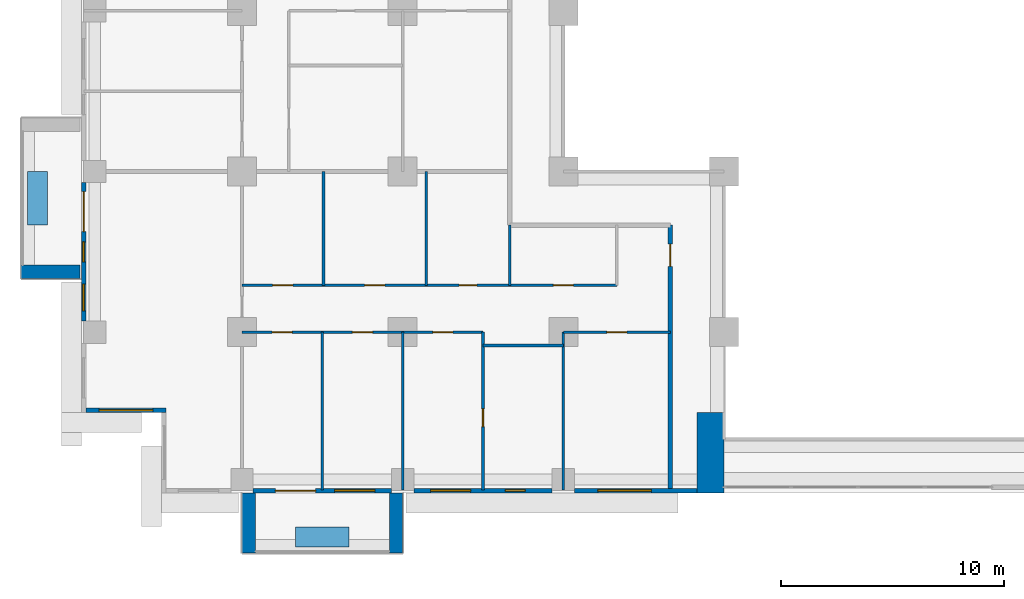
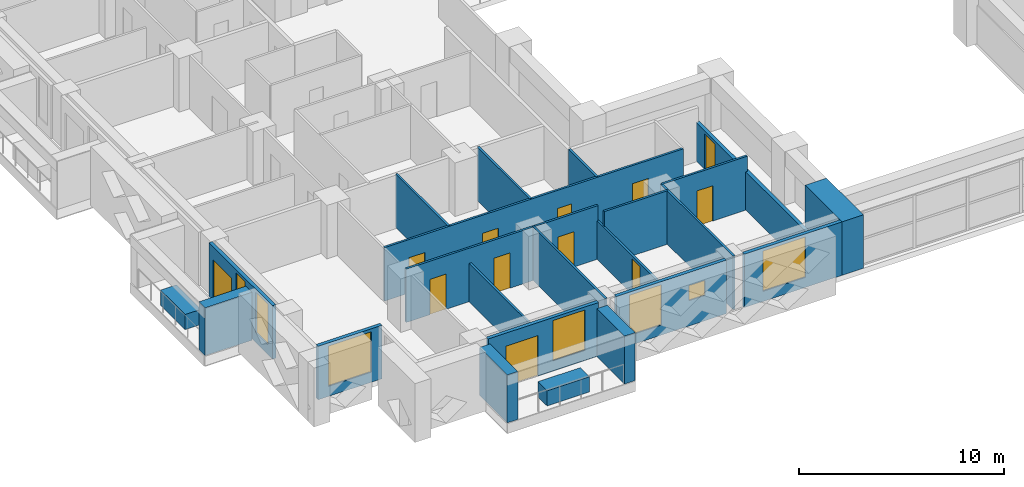
# One storey, part 6 of 16: 23 walls, 12 doors, 7 windows, 19 openings.
"""IFC4 building model written with IfcOpenShell, lengths in metres."""

from ifc_helpers import new_model, si_unit, direction, frame, frame_2d, origin, place, context, subcontext, project, spatial, rectangle, extrude, material, layer, layer_set, type_object, element, fill, save


model = new_model("IFC4")

# Units and contexts
model_context = context("Model", 3, precision=1e-05, world=origin(), true_north=direction((0.0, 1.0)))
body_context = subcontext(model_context, "Body", "Model", "MODEL_VIEW")
ifc_project = project(units=[si_unit("LENGTHUNIT", "METRE"), si_unit("AREAUNIT", "SQUARE_METRE"), si_unit("VOLUMEUNIT", "CUBIC_METRE"), si_unit("PLANEANGLEUNIT", "RADIAN"), si_unit("MASSUNIT", "GRAM", prefix="KILO")], contexts=[model_context])

# Site, building, storey
site_placement = place(None, origin())
site = spatial("IfcSite", under=ifc_project, at=site_placement, CompositionType="ELEMENT")
building_placement = place(site_placement, origin())
building = spatial("IfcBuilding", under=site, at=building_placement, Name="Saffron Iwan Residences", CompositionType="ELEMENT")
storey_placement = place(building_placement, frame((0.0, 0.0, 65.5)))
storey = spatial("IfcBuildingStorey", under=building, at=storey_placement, Name="L16", CompositionType="ELEMENT", Elevation=65.5)

# Walls
ifc_material_1 = material(Name="Concrete C50/60 white painted", Category="concrete")
ifc_layer_1 = layer(ifc_material_1, 0.60009765625)
ifc_layer_set_1 = layer_set([ifc_layer_1], Name="Concrete C50/60 white painted")
wall_type_1 = type_object("IfcWallType", Name="BALCONY FIN 600", PredefinedType="SOLIDWALL", material=ifc_layer_set_1)
wall_1_placement = place(storey_placement, frame((14.35009765625, 43.5, 0.0), z_axis=(0.0, 0.0, 1.0), x_axis=(-1.0, 0.0, 0.0)))
element("IfcWall", 1, at=wall_1_placement, inside=storey, type_object=wall_type_1, Name="Balcony fin L16 F8-1b", PredefinedType="SOLIDWALL", context=body_context, shape_type="SweptSolid", body=[
    extrude(rectangle(XDim=2.650146484375, YDim=0.60009765625, at=frame_2d((1.3251953125, 0.0))), origin(), (0.0, 0.0, 1.0), 2.85009765625),
])
for number, where, z_axis, x_axis, name in (
    (2, (21.89990234375, 33.60009765625, 0.0), (0.0, 0.0, 1.0), (0.0, -1.0, 0.0), "Balcony fin L16 11-0a"),
    (3, (28.5, 33.60009765625, 0.0), (0.0, 0.0, 1.0), (0.0, -1.0, 0.0), "Balcony fin L16 11-0b"),
):
    element("IfcWall", number, at=place(storey_placement, frame(where, z_axis=z_axis, x_axis=x_axis)), inside=storey, type_object=wall_type_1, Name=name, PredefinedType="SOLIDWALL", context=body_context, shape_type="SweptSolid", body=[
        extrude(rectangle(XDim=2.7001953125, YDim=0.60009765625, at=frame_2d((1.35009765625, 0.0))), origin(), (0.0, 0.0, 1.0), 2.85009765625),
    ])
ifc_material_2 = material(Name="Concrete C35/45 white painted", Category="concrete")
ifc_layer_2 = layer(ifc_material_2, 0.14990234375)
ifc_layer_set_2 = layer_set([ifc_layer_2], Name="Concrete C35/45 white painted")
wall_type_2 = type_object("IfcWallType", Name="BALCONY PLANTER", PredefinedType="SOLIDWALL", material=ifc_layer_set_2)
for number, where, z_axis, x_axis, name in (
    (4, (12.425048828125, 48.0, 0.0), (0.0, 0.0, 1.0), (0.0, -1.0, 0.0), "PLANTER L16 F8-1"),
    (5, (24.0, 31.625, 0.0), (0.0, 0.0, 1.0), (1.0, 0.0, 0.0), "PLANTER L16 11-0"),
):
    element("IfcWall", number, at=place(storey_placement, frame(where, z_axis=z_axis, x_axis=x_axis)), inside=storey, type_object=wall_type_2, Name=name, PredefinedType="SOLIDWALL", context=body_context, shape_type="SweptSolid", body=[
        extrude(rectangle(XDim=2.39990234375, YDim=0.89990234375, at=frame_2d((1.199951171875, 0.0))), origin(), (0.0, 0.0, 1.0), 0.89990234375),
    ])

# Wall, openings, door, windows
ifc_material_3 = material(Name="Concrete C40/50", Category="concrete")
ifc_layer_3 = layer(ifc_material_3, 0.199951171875)
ifc_layer_set_3 = layer_set([ifc_layer_3], Name="Concrete C40/50")
wall_type_3 = type_object("IfcWallType", Name="EXTERNAL WALL 200", PredefinedType="SOLIDWALL", material=ifc_layer_set_3)
wall_2_placement = place(storey_placement, frame((14.5, 47.5, 0.0), z_axis=(0.0, 0.0, 1.0), x_axis=(0.0, -1.0, 0.0)))
wall_2 = element("IfcWall", 6, at=wall_2_placement, inside=storey, type_object=wall_type_3, Name="External wall L16 F8.4", PredefinedType="SOLIDWALL", context=body_context, shape_type="SweptSolid", body=[
    extrude(rectangle(XDim=6.199951171875, YDim=0.199951171875, at=frame_2d((3.10009765625, 0.0))), origin(), (0.0, 0.0, 1.0), 3.179931640625),
])
opening_1_placement = place(wall_2_placement, frame((0.39990234375, 0.0, 0.0)))
opening_1 = element("IfcOpeningElement", 7, at=opening_1_placement, cuts=wall_2, Name="Opening BD1", PredefinedType="OPENING", context=body_context, shape_type="SweptSolid", body=[
    extrude(rectangle(XDim=1.800048828125, YDim=2.39990234375, at=frame_2d((0.89990234375, 1.199951171875))), frame((0.0, 0.10986328125, 0.0), z_axis=(0.0, -1.0, 0.0), x_axis=(1.0, 0.0, 0.0)), (0.0, 0.0, 1.0), 0.219970703125),
])
opening_2_placement = place(wall_2_placement, frame((2.64990234375, 0.0, 0.60009765625)))
opening_2 = element("IfcOpeningElement", 8, at=opening_2_placement, cuts=wall_2, Name="Opening W10", PredefinedType="OPENING", context=body_context, shape_type="SweptSolid", body=[
    extrude(rectangle(XDim=0.89990234375, YDim=2.39990234375, at=frame_2d((0.449951171875, 1.199951171875))), frame((0.0, 0.10986328125, 0.0), z_axis=(0.0, -1.0, 0.0), x_axis=(1.0, 0.0, 0.0)), (0.0, 0.0, 1.0), 0.219970703125),
])
opening_3_placement = place(wall_2_placement, frame((4.550048828125, 0.0, 0.60009765625)))
opening_3 = element("IfcOpeningElement", 9, at=opening_3_placement, cuts=wall_2, Name="Opening W3", PredefinedType="OPENING", context=body_context, shape_type="SweptSolid", body=[
    extrude(rectangle(XDim=1.199951171875, YDim=2.39990234375, at=frame_2d((0.60009765625, 1.199951171875))), frame((0.0, 0.10986328125, 0.0), z_axis=(0.0, -1.0, 0.0), x_axis=(1.0, 0.0, 0.0)), (0.0, 0.0, 1.0), 0.219970703125),
])
ifc_material_4 = material(Name="Clear glass, laminated double glazed", Category="glass")
door_type_1 = type_object("IfcDoorType", Name="BALCONY DOOR 1800 x 2400", OperationType="DOUBLE_DOOR_SLIDING", PredefinedType="DOOR", material=ifc_material_4)
door_1_placement = place(opening_1_placement, origin())
door_1 = element("IfcDoor", 10, at=door_1_placement, inside=storey, type_object=door_type_1, Name="Balcony door L16 F8.0", OperationType="DOUBLE_DOOR_SLIDING", OverallHeight=2.39990234375, OverallWidth=1.800048828125, PredefinedType="DOOR", context=body_context, shape_type="SweptSolid", body=[
    extrude(rectangle(XDim=1.800048828125, YDim=2.39990234375, at=frame_2d((0.89990234375, 1.199951171875))), frame((0.0, 0.02490234375, 0.0), z_axis=(0.0, -1.0, 0.0), x_axis=(1.0, 0.0, 0.0)), (0.0, 0.0, 1.0), 0.050048828125),
])
fill(opening_1, door_1)
window_type_1 = type_object("IfcWindowType", Name="WINDOW 1200 x 2400", PartitioningType="SINGLE_PANEL", PredefinedType="WINDOW", material=ifc_material_4)
window_1_placement = place(opening_3_placement, origin())
window_1 = element("IfcWindow", 11, at=window_1_placement, inside=storey, type_object=window_type_1, Name="Window L16 F8.2", OverallHeight=2.39990234375, OverallWidth=1.199951171875, PartitioningType="SINGLE_PANEL", PredefinedType="WINDOW", context=body_context, shape_type="SweptSolid", body=[
    extrude(rectangle(XDim=1.199951171875, YDim=2.39990234375, at=frame_2d((0.60009765625, 1.199951171875))), frame((0.0, 0.030029296875, 0.0), z_axis=(0.0, -1.0, 0.0), x_axis=(1.0, 0.0, 0.0)), (0.0, 0.0, 1.0), 0.06005859375),
])
fill(opening_3, window_1)
window_type_2 = type_object("IfcWindowType", Name="WINDOW 900 x 2400", PartitioningType="SINGLE_PANEL", PredefinedType="WINDOW", material=ifc_material_4)
window_2_placement = place(opening_2_placement, origin())
window_2 = element("IfcWindow", 12, at=window_2_placement, inside=storey, type_object=window_type_2, Name="Window L16 F8.1", OverallHeight=2.39990234375, OverallWidth=0.89990234375, PartitioningType="SINGLE_PANEL", PredefinedType="WINDOW", context=body_context, shape_type="SweptSolid", body=[
    extrude(rectangle(XDim=0.89990234375, YDim=2.39990234375, at=frame_2d((0.449951171875, 1.199951171875))), frame((0.0, 0.030029296875, 0.0), z_axis=(0.0, -1.0, 0.0), x_axis=(1.0, 0.0, 0.0)), (0.0, 0.0, 1.0), 0.06005859375),
])
fill(opening_2, window_2)

# Wall, opening, window
wall_3_placement = place(storey_placement, frame((14.60009765625, 37.300048828125, 0.0), z_axis=(0.0, 0.0, 1.0), x_axis=(1.0, 0.0, 0.0)))
wall_3 = element("IfcWall", 13, at=wall_3_placement, inside=storey, type_object=wall_type_3, Name="External wall L16 F9.0", PredefinedType="SOLIDWALL", context=body_context, shape_type="SweptSolid", body=[
    extrude(rectangle(XDim=3.599853515625, YDim=0.199951171875, at=frame_2d((1.7998046875, 0.0))), origin(), (0.0, 0.0, 1.0), 3.179931640625),
])
opening_4_placement = place(wall_3_placement, frame((0.60009765625, 0.0, 0.60009765625)))
opening_4 = element("IfcOpeningElement", 14, at=opening_4_placement, cuts=wall_3, Name="Opening W1", PredefinedType="OPENING", context=body_context, shape_type="SweptSolid", body=[
    extrude(rectangle(XDim=2.39990234375, YDim=2.39990234375, at=frame_2d((1.199951171875, 1.199951171875))), frame((0.0, 0.10986328125, 0.0), z_axis=(0.0, -1.0, 0.0), x_axis=(1.0, 0.0, 0.0)), (0.0, 0.0, 1.0), 0.219970703125),
])
window_type_3 = type_object("IfcWindowType", Name="WINDOW 2400 x 2400", PartitioningType="DOUBLE_PANEL_VERTICAL", PredefinedType="WINDOW", material=ifc_material_4)
window_3_placement = place(opening_4_placement, origin())
window_3 = element("IfcWindow", 15, at=window_3_placement, inside=storey, type_object=window_type_3, Name="Window L16 F9.0", OverallHeight=2.39990234375, OverallWidth=2.39990234375, PartitioningType="DOUBLE_PANEL_VERTICAL", PredefinedType="WINDOW", context=body_context, shape_type="SweptSolid", body=[
    extrude(rectangle(XDim=2.39990234375, YDim=2.39990234375, at=frame_2d((1.199951171875, 1.199951171875))), frame((0.0, 0.030029296875, 0.0), z_axis=(0.0, -1.0, 0.0), x_axis=(1.0, 0.0, 0.0)), (0.0, 0.0, 1.0), 0.06005859375),
])
fill(opening_4, window_3)

# Wall, openings, door, window
wall_4_placement = place(storey_placement, frame((22.10009765625, 33.699951171875, 0.0), z_axis=(0.0, 0.0, 1.0), x_axis=(1.0, 0.0, 0.0)))
wall_4 = element("IfcWall", 16, at=wall_4_placement, inside=storey, type_object=wall_type_3, Name="External wall L16 F11.1", PredefinedType="SOLIDWALL", context=body_context, shape_type="SweptSolid", body=[
    extrude(rectangle(XDim=6.199951171875, YDim=0.199951171875, at=frame_2d((3.10009765625, 0.0))), origin(), (0.0, 0.0, 1.0), 3.179931640625),
])
opening_5_placement = place(wall_4_placement, frame((1.0, 0.0, 0.0)))
opening_5 = element("IfcOpeningElement", 17, at=opening_5_placement, cuts=wall_4, Name="Opening BD1", PredefinedType="OPENING", context=body_context, shape_type="SweptSolid", body=[
    extrude(rectangle(XDim=1.800048828125, YDim=2.39990234375, at=frame_2d((0.89990234375, 1.199951171875))), frame((0.0, 0.10986328125, 0.0), z_axis=(0.0, -1.0, 0.0), x_axis=(1.0, 0.0, 0.0)), (0.0, 0.0, 1.0), 0.219970703125),
])
opening_6_placement = place(wall_4_placement, frame((3.64990234375, 0.0, 0.60009765625)))
opening_6 = element("IfcOpeningElement", 18, at=opening_6_placement, cuts=wall_4, Name="Opening W8", PredefinedType="OPENING", context=body_context, shape_type="SweptSolid", body=[
    extrude(rectangle(XDim=1.800048828125, YDim=2.39990234375, at=frame_2d((0.89990234375, 1.199951171875))), frame((0.0, 0.10986328125, 0.0), z_axis=(0.0, -1.0, 0.0), x_axis=(1.0, 0.0, 0.0)), (0.0, 0.0, 1.0), 0.219970703125),
])
door_2_placement = place(opening_5_placement, origin())
door_2 = element("IfcDoor", 19, at=door_2_placement, inside=storey, type_object=door_type_1, Name="Balcony door L16 F11.0", OperationType="DOUBLE_DOOR_SLIDING", OverallHeight=2.39990234375, OverallWidth=1.800048828125, PredefinedType="DOOR", context=body_context, shape_type="SweptSolid", body=[
    extrude(rectangle(XDim=1.800048828125, YDim=2.39990234375, at=frame_2d((0.89990234375, 1.199951171875))), frame((0.0, 0.02490234375, 0.0), z_axis=(0.0, -1.0, 0.0), x_axis=(1.0, 0.0, 0.0)), (0.0, 0.0, 1.0), 0.050048828125),
])
fill(opening_5, door_2)
window_type_4 = type_object("IfcWindowType", Name="WINDOW 1800 x 2400", PartitioningType="DOUBLE_PANEL_VERTICAL", PredefinedType="WINDOW", material=ifc_material_4)
window_4_placement = place(opening_6_placement, origin())
window_4 = element("IfcWindow", 20, at=window_4_placement, inside=storey, type_object=window_type_4, Name="Window L16 F11.1", OverallHeight=2.39990234375, OverallWidth=1.800048828125, PartitioningType="DOUBLE_PANEL_VERTICAL", PredefinedType="WINDOW", context=body_context, shape_type="SweptSolid", body=[
    extrude(rectangle(XDim=1.800048828125, YDim=2.39990234375, at=frame_2d((0.89990234375, 1.199951171875))), frame((0.0, 0.030029296875, 0.0), z_axis=(0.0, -1.0, 0.0), x_axis=(1.0, 0.0, 0.0)), (0.0, 0.0, 1.0), 0.06005859375),
])
fill(opening_6, window_4)

# Wall, openings, windows
wall_5_placement = place(storey_placement, frame((29.300048828125, 33.699951171875, 0.0), z_axis=(0.0, 0.0, 1.0), x_axis=(1.0, 0.0, 0.0)))
wall_5 = element("IfcWall", 21, at=wall_5_placement, inside=storey, type_object=wall_type_3, Name="External wall L16 F11.2", PredefinedType="SOLIDWALL", context=body_context, shape_type="SweptSolid", body=[
    extrude(rectangle(XDim=6.199951171875, YDim=0.199951171875, at=frame_2d((3.10009765625, 0.0))), origin(), (0.0, 0.0, 1.0), 3.179931640625),
])
opening_7_placement = place(wall_5_placement, frame((0.75, 0.0, 0.60009765625)))
opening_7 = element("IfcOpeningElement", 22, at=opening_7_placement, cuts=wall_5, Name="Opening W8", PredefinedType="OPENING", context=body_context, shape_type="SweptSolid", body=[
    extrude(rectangle(XDim=1.800048828125, YDim=2.39990234375, at=frame_2d((0.89990234375, 1.199951171875))), frame((0.0, 0.10986328125, 0.0), z_axis=(0.0, -1.0, 0.0), x_axis=(1.0, 0.0, 0.0)), (0.0, 0.0, 1.0), 0.219970703125),
])
opening_8_placement = place(wall_5_placement, frame((4.10009765625, 0.0, 1.5)))
opening_8 = element("IfcOpeningElement", 23, at=opening_8_placement, cuts=wall_5, Name="Opening W6", PredefinedType="OPENING", context=body_context, shape_type="SweptSolid", body=[
    extrude(rectangle(XDim=0.89990234375, YDim=0.89990234375, at=frame_2d((0.449951171875, 0.449951171875))), frame((0.0, 0.10986328125, 0.0), z_axis=(0.0, -1.0, 0.0), x_axis=(1.0, 0.0, 0.0)), (0.0, 0.0, 1.0), 0.219970703125),
])
window_5_placement = place(opening_7_placement, origin())
window_5 = element("IfcWindow", 24, at=window_5_placement, inside=storey, type_object=window_type_4, Name="Window L16 F11.0", OverallHeight=2.39990234375, OverallWidth=1.800048828125, PartitioningType="DOUBLE_PANEL_VERTICAL", PredefinedType="WINDOW", context=body_context, shape_type="SweptSolid", body=[
    extrude(rectangle(XDim=1.800048828125, YDim=2.39990234375, at=frame_2d((0.89990234375, 1.199951171875))), frame((0.0, 0.030029296875, 0.0), z_axis=(0.0, -1.0, 0.0), x_axis=(1.0, 0.0, 0.0)), (0.0, 0.0, 1.0), 0.06005859375),
])
fill(opening_7, window_5)
window_type_5 = type_object("IfcWindowType", Name="WINDOW 900 x 900 BATH", PartitioningType="SINGLE_PANEL", PredefinedType="WINDOW", material=ifc_material_4)
window_6_placement = place(opening_8_placement, origin())
window_6 = element("IfcWindow", 25, at=window_6_placement, inside=storey, type_object=window_type_5, Name="Window L16 F11.1", OverallHeight=0.89990234375, OverallWidth=0.89990234375, PartitioningType="SINGLE_PANEL", PredefinedType="WINDOW", context=body_context, shape_type="SweptSolid", body=[
    extrude(rectangle(XDim=0.89990234375, YDim=0.89990234375, at=frame_2d((0.449951171875, 0.449951171875))), frame((0.0, 0.030029296875, 0.0), z_axis=(0.0, -1.0, 0.0), x_axis=(1.0, 0.0, 0.0)), (0.0, 0.0, 1.0), 0.06005859375),
])
fill(opening_8, window_6)

# Wall, opening, window
wall_6_placement = place(storey_placement, frame((36.5, 33.699951171875, 0.0), z_axis=(0.0, 0.0, 1.0), x_axis=(1.0, 0.0, 0.0)))
wall_6 = element("IfcWall", 26, at=wall_6_placement, inside=storey, type_object=wall_type_3, Name="External wall L16 F11.3", PredefinedType="SOLIDWALL", context=body_context, shape_type="SweptSolid", body=[
    extrude(rectangle(XDim=5.5, YDim=0.199951171875, at=frame_2d((2.75, 0.0))), origin(), (0.0, 0.0, 1.0), 3.179931640625),
])
opening_9_placement = place(wall_6_placement, frame((1.050048828125, 0.0, 0.60009765625)))
opening_9 = element("IfcOpeningElement", 27, at=opening_9_placement, cuts=wall_6, Name="Opening W1", PredefinedType="OPENING", context=body_context, shape_type="SweptSolid", body=[
    extrude(rectangle(XDim=2.39990234375, YDim=2.39990234375, at=frame_2d((1.199951171875, 1.199951171875))), frame((0.0, 0.10986328125, 0.0), z_axis=(0.0, -1.0, 0.0), x_axis=(1.0, 0.0, 0.0)), (0.0, 0.0, 1.0), 0.219970703125),
])
window_7_placement = place(opening_9_placement, origin())
window_7 = element("IfcWindow", 28, at=window_7_placement, inside=storey, type_object=window_type_3, Name="Window L16 F11.0", OverallHeight=2.39990234375, OverallWidth=2.39990234375, PartitioningType="DOUBLE_PANEL_VERTICAL", PredefinedType="WINDOW", context=body_context, shape_type="SweptSolid", body=[
    extrude(rectangle(XDim=2.39990234375, YDim=2.39990234375, at=frame_2d((1.199951171875, 1.199951171875))), frame((0.0, 0.030029296875, 0.0), z_axis=(0.0, -1.0, 0.0), x_axis=(1.0, 0.0, 0.0)), (0.0, 0.0, 1.0), 0.06005859375),
])
fill(opening_9, window_7)

# Wall
ifc_material_5 = material(Name="Gypsum board partition")
ifc_layer_4 = layer(ifc_material_5, 0.1201171875)
ifc_layer_set_4 = layer_set([ifc_layer_4], Name="Gypsum board partition")
wall_type_4 = type_object("IfcWallType", Name="Flat partition 120", PredefinedType="PARTITIONING", material=ifc_layer_set_4)
wall_7_placement = place(storey_placement, frame((32.39990234375, 40.199951171875, 0.0), z_axis=(0.0, 0.0, 1.0), x_axis=(1.0, 0.0, 0.0)))
element("IfcWall", 29, at=wall_7_placement, inside=storey, type_object=wall_type_4, Name="W-L16-PART-h40.2-32.4", PredefinedType="PARTITIONING", context=body_context, shape_type="SweptSolid", body=[
    extrude(rectangle(XDim=3.60009765625, YDim=0.1201171875, at=frame_2d((1.800048828125, 0.0))), origin(), (0.0, 0.0, 1.0), 3.179931640625),
])

# Wall, openings, doors
wall_8_placement = place(storey_placement, frame((21.60009765625, 40.800048828125, 0.0), z_axis=(0.0, 0.0, 1.0), x_axis=(1.0, 0.0, 0.0)))
wall_8 = element("IfcWall", 30, at=wall_8_placement, inside=storey, type_object=wall_type_4, Name="W-L16-PART-h40.8-21.6", PredefinedType="PARTITIONING", context=body_context, shape_type="SweptSolid", body=[
    extrude(rectangle(XDim=10.7998046875, YDim=0.1201171875, at=frame_2d((5.39990234375, 0.0))), origin(), (0.0, 0.0, 1.0), 3.179931640625),
])
opening_10_placement = place(wall_8_placement, frame((1.35009765625, 0.0, 0.0)))
opening_10 = element("IfcOpeningElement", 31, at=opening_10_placement, cuts=wall_8, Name="Opening FD2", PredefinedType="OPENING", context=body_context, shape_type="SweptSolid", body=[
    extrude(rectangle(XDim=0.89990234375, YDim=2.10009765625, at=frame_2d((0.449951171875, 1.050048828125))), frame((0.0, 0.070068359375, 0.0), z_axis=(0.0, -1.0, 0.0), x_axis=(1.0, 0.0, 0.0)), (0.0, 0.0, 1.0), 0.14013671875),
])
opening_11_placement = place(wall_8_placement, frame((4.949951171875, 0.0, 0.0)))
opening_11 = element("IfcOpeningElement", 32, at=opening_11_placement, cuts=wall_8, Name="Opening FD2", PredefinedType="OPENING", context=body_context, shape_type="SweptSolid", body=[
    extrude(rectangle(XDim=0.89990234375, YDim=2.10009765625, at=frame_2d((0.449951171875, 1.050048828125))), frame((0.0, 0.070068359375, 0.0), z_axis=(0.0, -1.0, 0.0), x_axis=(1.0, 0.0, 0.0)), (0.0, 0.0, 1.0), 0.14013671875),
])
opening_12_placement = place(wall_8_placement, frame((8.550048828125, 0.0, 0.0)))
opening_12 = element("IfcOpeningElement", 33, at=opening_12_placement, cuts=wall_8, Name="Opening FD2", PredefinedType="OPENING", context=body_context, shape_type="SweptSolid", body=[
    extrude(rectangle(XDim=0.89990234375, YDim=2.10009765625, at=frame_2d((0.449951171875, 1.050048828125))), frame((0.0, 0.070068359375, 0.0), z_axis=(0.0, -1.0, 0.0), x_axis=(1.0, 0.0, 0.0)), (0.0, 0.0, 1.0), 0.14013671875),
])
ifc_material_6 = material(Name="Timber door", Category="wood")
door_type_2 = type_object("IfcDoorType", Name="Flat door 900", OperationType="NOTDEFINED", PredefinedType="DOOR", material=ifc_material_6)
door_3_placement = place(opening_10_placement, origin())
door_3 = element("IfcDoor", 34, at=door_3_placement, inside=storey, type_object=door_type_2, Name="Door L16-003", OperationType="SINGLE_SWING_RIGHT", OverallHeight=2.10009765625, OverallWidth=0.89990234375, PredefinedType="DOOR", context=body_context, shape_type="SweptSolid", body=[
    extrude(rectangle(XDim=0.89990234375, YDim=2.10009765625, at=frame_2d((0.449951171875, 1.050048828125))), frame((0.0, 0.02490234375, 0.0), z_axis=(0.0, -1.0, 0.0), x_axis=(1.0, 0.0, 0.0)), (0.0, 0.0, 1.0), 0.050048828125),
])
fill(opening_10, door_3)
door_4_placement = place(opening_11_placement, origin())
door_4 = element("IfcDoor", 35, at=door_4_placement, inside=storey, type_object=door_type_2, Name="Door L16-004", OperationType="SINGLE_SWING_LEFT", OverallHeight=2.10009765625, OverallWidth=0.89990234375, PredefinedType="DOOR", context=body_context, shape_type="SweptSolid", body=[
    extrude(rectangle(XDim=0.89990234375, YDim=2.10009765625, at=frame_2d((0.449951171875, 1.050048828125))), frame((0.0, 0.02490234375, 0.0), z_axis=(0.0, -1.0, 0.0), x_axis=(1.0, 0.0, 0.0)), (0.0, 0.0, 1.0), 0.050048828125),
])
fill(opening_11, door_4)
door_5_placement = place(opening_12_placement, origin())
door_5 = element("IfcDoor", 36, at=door_5_placement, inside=storey, type_object=door_type_2, Name="Door L16-005", OperationType="SINGLE_SWING_LEFT", OverallHeight=2.10009765625, OverallWidth=0.89990234375, PredefinedType="DOOR", context=body_context, shape_type="SweptSolid", body=[
    extrude(rectangle(XDim=0.89990234375, YDim=2.10009765625, at=frame_2d((0.449951171875, 1.050048828125))), frame((0.0, 0.02490234375, 0.0), z_axis=(0.0, -1.0, 0.0), x_axis=(1.0, 0.0, 0.0)), (0.0, 0.0, 1.0), 0.050048828125),
])
fill(opening_12, door_5)

# Wall, opening, door
wall_9_placement = place(storey_placement, frame((36.0, 40.800048828125, 0.0), z_axis=(0.0, 0.0, 1.0), x_axis=(1.0, 0.0, 0.0)))
wall_9 = element("IfcWall", 37, at=wall_9_placement, inside=storey, type_object=wall_type_4, Name="W-L16-PART-h40.8-36", PredefinedType="PARTITIONING", context=body_context, shape_type="SweptSolid", body=[
    extrude(rectangle(XDim=4.800048828125, YDim=0.1201171875, at=frame_2d((2.39990234375, 0.0))), origin(), (0.0, 0.0, 1.0), 3.179931640625),
])
opening_13_placement = place(wall_9_placement, frame((1.949951171875, 0.0, 0.0)))
opening_13 = element("IfcOpeningElement", 38, at=opening_13_placement, cuts=wall_9, Name="Opening FD2", PredefinedType="OPENING", context=body_context, shape_type="SweptSolid", body=[
    extrude(rectangle(XDim=0.89990234375, YDim=2.10009765625, at=frame_2d((0.449951171875, 1.050048828125))), frame((0.0, 0.070068359375, 0.0), z_axis=(0.0, -1.0, 0.0), x_axis=(1.0, 0.0, 0.0)), (0.0, 0.0, 1.0), 0.14013671875),
])
door_6_placement = place(opening_13_placement, origin())
door_6 = element("IfcDoor", 39, at=door_6_placement, inside=storey, type_object=door_type_2, Name="Door L16-007", OperationType="SINGLE_SWING_LEFT", OverallHeight=2.10009765625, OverallWidth=0.89990234375, PredefinedType="DOOR", context=body_context, shape_type="SweptSolid", body=[
    extrude(rectangle(XDim=0.89990234375, YDim=2.10009765625, at=frame_2d((0.449951171875, 1.050048828125))), frame((0.0, 0.02490234375, 0.0), z_axis=(0.0, -1.0, 0.0), x_axis=(1.0, 0.0, 0.0)), (0.0, 0.0, 1.0), 0.050048828125),
])
fill(opening_13, door_6)

# Wall, openings, doors
wall_10_placement = place(storey_placement, frame((21.60009765625, 42.89990234375, 0.0), z_axis=(0.0, 0.0, 1.0), x_axis=(1.0, 0.0, 0.0)))
wall_10 = element("IfcWall", 40, at=wall_10_placement, inside=storey, type_object=wall_type_4, Name="W-L16-PART-h42.9-21.6", PredefinedType="PARTITIONING", context=body_context, shape_type="SweptSolid", body=[
    extrude(rectangle(XDim=16.7998046875, YDim=0.1201171875, at=frame_2d((8.39990234375, 0.0))), origin(), (0.0, 0.0, 1.0), 3.179931640625),
])
opening_14_placement = place(wall_10_placement, frame((1.375, 0.0, 0.0)))
opening_14 = element("IfcOpeningElement", 41, at=opening_14_placement, cuts=wall_10, Name="Opening FD2", PredefinedType="OPENING", context=body_context, shape_type="SweptSolid", body=[
    extrude(rectangle(XDim=0.89990234375, YDim=2.10009765625, at=frame_2d((0.449951171875, 1.050048828125))), frame((0.0, 0.070068359375, 0.0), z_axis=(0.0, -1.0, 0.0), x_axis=(1.0, 0.0, 0.0)), (0.0, 0.0, 1.0), 0.14013671875),
])
opening_15_placement = place(wall_10_placement, frame((5.5, 0.0, 0.0)))
opening_15 = element("IfcOpeningElement", 42, at=opening_15_placement, cuts=wall_10, Name="Opening FD2", PredefinedType="OPENING", context=body_context, shape_type="SweptSolid", body=[
    extrude(rectangle(XDim=0.89990234375, YDim=2.10009765625, at=frame_2d((0.449951171875, 1.050048828125))), frame((0.0, 0.070068359375, 0.0), z_axis=(0.0, -1.0, 0.0), x_axis=(1.0, 0.0, 0.0)), (0.0, 0.0, 1.0), 0.14013671875),
])
opening_16_placement = place(wall_10_placement, frame((9.72509765625, 0.0, 0.0)))
opening_16 = element("IfcOpeningElement", 43, at=opening_16_placement, cuts=wall_10, Name="Opening FD3", PredefinedType="OPENING", context=body_context, shape_type="SweptSolid", body=[
    extrude(rectangle(XDim=0.800048828125, YDim=2.10009765625, at=frame_2d((0.39990234375, 1.050048828125))), frame((0.0, 0.070068359375, 0.0), z_axis=(0.0, -1.0, 0.0), x_axis=(1.0, 0.0, 0.0)), (0.0, 0.0, 1.0), 0.14013671875),
])
opening_17_placement = place(wall_10_placement, frame((13.949951171875, 0.0, 0.0)))
opening_17 = element("IfcOpeningElement", 44, at=opening_17_placement, cuts=wall_10, Name="Opening FD2", PredefinedType="OPENING", context=body_context, shape_type="SweptSolid", body=[
    extrude(rectangle(XDim=0.89990234375, YDim=2.10009765625, at=frame_2d((0.449951171875, 1.050048828125))), frame((0.0, 0.070068359375, 0.0), z_axis=(0.0, -1.0, 0.0), x_axis=(1.0, 0.0, 0.0)), (0.0, 0.0, 1.0), 0.14013671875),
])
door_type_3 = type_object("IfcDoorType", Name="Bathroom door 800", OperationType="NOTDEFINED", PredefinedType="DOOR", material=ifc_material_6)
door_7_placement = place(opening_16_placement, origin())
door_7 = element("IfcDoor", 45, at=door_7_placement, inside=storey, type_object=door_type_3, Name="Door L16-010", OperationType="SINGLE_SWING_LEFT", OverallHeight=2.10009765625, OverallWidth=0.800048828125, PredefinedType="DOOR", context=body_context, shape_type="SweptSolid", body=[
    extrude(rectangle(XDim=0.800048828125, YDim=2.10009765625, at=frame_2d((0.39990234375, 1.050048828125))), frame((0.0, 0.02490234375, 0.0), z_axis=(0.0, -1.0, 0.0), x_axis=(1.0, 0.0, 0.0)), (0.0, 0.0, 1.0), 0.050048828125),
])
fill(opening_16, door_7)
door_8_placement = place(opening_14_placement, origin())
door_8 = element("IfcDoor", 46, at=door_8_placement, inside=storey, type_object=door_type_2, Name="Door L16-008", OperationType="SINGLE_SWING_LEFT", OverallHeight=2.10009765625, OverallWidth=0.89990234375, PredefinedType="DOOR", context=body_context, shape_type="SweptSolid", body=[
    extrude(rectangle(XDim=0.89990234375, YDim=2.10009765625, at=frame_2d((0.449951171875, 1.050048828125))), frame((0.0, 0.02490234375, 0.0), z_axis=(0.0, -1.0, 0.0), x_axis=(1.0, 0.0, 0.0)), (0.0, 0.0, 1.0), 0.050048828125),
])
fill(opening_14, door_8)
door_9_placement = place(opening_15_placement, origin())
door_9 = element("IfcDoor", 47, at=door_9_placement, inside=storey, type_object=door_type_2, Name="Door L16-009", OperationType="SINGLE_SWING_RIGHT", OverallHeight=2.10009765625, OverallWidth=0.89990234375, PredefinedType="DOOR", context=body_context, shape_type="SweptSolid", body=[
    extrude(rectangle(XDim=0.89990234375, YDim=2.10009765625, at=frame_2d((0.449951171875, 1.050048828125))), frame((0.0, 0.02490234375, 0.0), z_axis=(0.0, -1.0, 0.0), x_axis=(1.0, 0.0, 0.0)), (0.0, 0.0, 1.0), 0.050048828125),
])
fill(opening_15, door_9)
door_10_placement = place(opening_17_placement, origin())
door_10 = element("IfcDoor", 48, at=door_10_placement, inside=storey, type_object=door_type_2, Name="Door L16-011", OperationType="SINGLE_SWING_LEFT", OverallHeight=2.10009765625, OverallWidth=0.89990234375, PredefinedType="DOOR", context=body_context, shape_type="SweptSolid", body=[
    extrude(rectangle(XDim=0.89990234375, YDim=2.10009765625, at=frame_2d((0.449951171875, 1.050048828125))), frame((0.0, 0.02490234375, 0.0), z_axis=(0.0, -1.0, 0.0), x_axis=(1.0, 0.0, 0.0)), (0.0, 0.0, 1.0), 0.050048828125),
])
fill(opening_17, door_10)

# Walls
wall_11_placement = place(storey_placement, frame((25.199951171875, 33.72509765625, 0.0), z_axis=(0.0, 0.0, 1.0), x_axis=(0.0, 1.0, 0.0)))
element("IfcWall", 49, at=wall_11_placement, inside=storey, type_object=wall_type_4, Name="W-L16-PART-v25.2-33.725", PredefinedType="PARTITIONING", context=body_context, shape_type="SweptSolid", body=[
    extrude(rectangle(XDim=7.074951171875, YDim=0.1201171875, at=frame_2d((3.53759765625, 0.0))), origin(), (0.0, 0.0, 1.0), 2.280029296875),
])
wall_12_placement = place(storey_placement, frame((25.25, 42.89990234375, 0.0), z_axis=(0.0, 0.0, 1.0), x_axis=(0.0, 1.0, 0.0)))
element("IfcWall", 50, at=wall_12_placement, inside=storey, type_object=wall_type_4, Name="W-L16-PART-v25.25-42.9", PredefinedType="PARTITIONING", context=body_context, shape_type="SweptSolid", body=[
    extrude(rectangle(XDim=5.10009765625, YDim=0.1201171875, at=frame_2d((2.550048828125, 0.0))), origin(), (0.0, 0.0, 1.0), 3.179931640625),
])
wall_13_placement = place(storey_placement, frame((28.800048828125, 33.72509765625, 0.0), z_axis=(0.0, 0.0, 1.0), x_axis=(0.0, 1.0, 0.0)))
element("IfcWall", 51, at=wall_13_placement, inside=storey, type_object=wall_type_4, Name="W-L16-PART-v28.8-33.725", PredefinedType="PARTITIONING", context=body_context, shape_type="SweptSolid", body=[
    extrude(rectangle(XDim=7.074951171875, YDim=0.1201171875, at=frame_2d((3.53759765625, 0.0))), origin(), (0.0, 0.0, 1.0), 3.179931640625),
])
wall_14_placement = place(storey_placement, frame((29.85009765625, 42.89990234375, 0.0), z_axis=(0.0, 0.0, 1.0), x_axis=(0.0, 1.0, 0.0)))
element("IfcWall", 52, at=wall_14_placement, inside=storey, type_object=wall_type_4, Name="W-L16-PART-v29.85-42.9", PredefinedType="PARTITIONING", context=body_context, shape_type="SweptSolid", body=[
    extrude(rectangle(XDim=5.10009765625, YDim=0.1201171875, at=frame_2d((2.550048828125, 0.0))), origin(), (0.0, 0.0, 1.0), 3.179931640625),
])

# Wall, opening, door
wall_15_placement = place(storey_placement, frame((32.39990234375, 33.72509765625, 0.0), z_axis=(0.0, 0.0, 1.0), x_axis=(0.0, 1.0, 0.0)))
wall_15 = element("IfcWall", 53, at=wall_15_placement, inside=storey, type_object=wall_type_4, Name="W-L16-PART-v32.4-33.725", PredefinedType="PARTITIONING", context=body_context, shape_type="SweptSolid", body=[
    extrude(rectangle(XDim=7.074951171875, YDim=0.1201171875, at=frame_2d((3.53759765625, 0.0))), origin(), (0.0, 0.0, 1.0), 2.280029296875),
])
opening_18_placement = place(wall_15_placement, frame((2.83740234375, 0.0, 0.0)))
opening_18 = element("IfcOpeningElement", 54, at=opening_18_placement, cuts=wall_15, Name="Opening FD3", PredefinedType="OPENING", context=body_context, shape_type="SweptSolid", body=[
    extrude(rectangle(XDim=0.800048828125, YDim=2.10009765625, at=frame_2d((0.39990234375, 1.050048828125))), frame((0.0, 0.070068359375, 0.0), z_axis=(0.0, -1.0, 0.0), x_axis=(1.0, 0.0, 0.0)), (0.0, 0.0, 1.0), 0.14013671875),
])
door_11_placement = place(opening_18_placement, origin())
door_11 = element("IfcDoor", 55, at=door_11_placement, inside=storey, type_object=door_type_3, Name="Door L16-006", OperationType="SINGLE_SWING_RIGHT", OverallHeight=2.10009765625, OverallWidth=0.800048828125, PredefinedType="DOOR", context=body_context, shape_type="SweptSolid", body=[
    extrude(rectangle(XDim=0.800048828125, YDim=2.10009765625, at=frame_2d((0.39990234375, 1.050048828125))), frame((0.0, 0.02490234375, 0.0), z_axis=(0.0, -1.0, 0.0), x_axis=(1.0, 0.0, 0.0)), (0.0, 0.0, 1.0), 0.050048828125),
])
fill(opening_18, door_11)

# Walls
wall_16_placement = place(storey_placement, frame((33.60009765625, 42.89990234375, 0.0), z_axis=(0.0, 0.0, 1.0), x_axis=(0.0, 1.0, 0.0)))
element("IfcWall", 56, at=wall_16_placement, inside=storey, type_object=wall_type_4, Name="W-L16-PART-v33.6-42.9", PredefinedType="PARTITIONING", context=body_context, shape_type="SweptSolid", body=[
    extrude(rectangle(XDim=2.7001953125, YDim=0.1201171875, at=frame_2d((1.35009765625, 0.0))), origin(), (0.0, 0.0, 1.0), 3.179931640625),
])
wall_17_placement = place(storey_placement, frame((36.0, 33.72509765625, 0.0), z_axis=(0.0, 0.0, 1.0), x_axis=(0.0, 1.0, 0.0)))
element("IfcWall", 57, at=wall_17_placement, inside=storey, type_object=wall_type_4, Name="W-L16-PART-v36-33.725", PredefinedType="PARTITIONING", context=body_context, shape_type="SweptSolid", body=[
    extrude(rectangle(XDim=7.074951171875, YDim=0.1201171875, at=frame_2d((3.53759765625, 0.0))), origin(), (0.0, 0.0, 1.0), 3.179931640625),
])

# Wall, opening, door
ifc_material_7 = material(Name="Fire-rated gypsum board wall")
ifc_layer_5 = layer(ifc_material_7, 0.199951171875)
ifc_layer_set_5 = layer_set([ifc_layer_5], Name="Fire-rated gypsum board wall")
wall_type_5 = type_object("IfcWallType", Name="Gallery wall 200", PredefinedType="SOLIDWALL", material=ifc_layer_set_5)
wall_18_placement = place(storey_placement, frame((40.800048828125, 33.72509765625, 0.0), z_axis=(0.0, 0.0, 1.0), x_axis=(0.0, 1.0, 0.0)))
wall_18 = element("IfcWall", 58, at=wall_18_placement, inside=storey, type_object=wall_type_5, Name="W-L16-CORR-v40.8-33.725", PredefinedType="SOLIDWALL", context=body_context, shape_type="SweptSolid", body=[
    extrude(rectangle(XDim=11.875, YDim=0.199951171875, at=frame_2d((5.9375, 0.0))), origin(), (0.0, 0.0, 1.0), 2.280029296875),
])
opening_19_placement = place(wall_18_placement, frame((10.02490234375, 0.0, 0.0)))
opening_19 = element("IfcOpeningElement", 59, at=opening_19_placement, cuts=wall_18, Name="Opening FD1", PredefinedType="OPENING", context=body_context, shape_type="SweptSolid", body=[
    extrude(rectangle(XDim=1.0, YDim=2.10009765625, at=frame_2d((0.5, 1.050048828125))), frame((0.0, 0.10986328125, 0.0), z_axis=(0.0, -1.0, 0.0), x_axis=(1.0, 0.0, 0.0)), (0.0, 0.0, 1.0), 0.219970703125),
])
ifc_material_8 = material(Name="Fire-rated timber door", Category="wood")
door_type_4 = type_object("IfcDoorType", Name="FD30S flat entrance door 1000", OperationType="NOTDEFINED", PredefinedType="DOOR", material=ifc_material_8)
door_12_placement = place(opening_19_placement, origin())
door_12 = element("IfcDoor", 60, at=door_12_placement, inside=storey, type_object=door_type_4, Name="Door L16-001", OperationType="SINGLE_SWING_LEFT", OverallHeight=2.10009765625, OverallWidth=1.0, PredefinedType="DOOR", context=body_context, shape_type="SweptSolid", body=[
    extrude(rectangle(XDim=1.0, YDim=2.10009765625, at=frame_2d((0.5, 1.050048828125))), frame((0.0, 0.02490234375, 0.0), z_axis=(0.0, -1.0, 0.0), x_axis=(1.0, 0.0, 0.0)), (0.0, 0.0, 1.0), 0.050048828125),
])
fill(opening_19, door_12)

# Wall
ifc_material_9 = material(Name="Concrete C60/75", Category="concrete")
ifc_layer_6 = layer(ifc_material_9, 1.199951171875)
ifc_layer_set_6 = layer_set([ifc_layer_6], Name="Concrete C60/75")
wall_type_6 = type_object("IfcWallType", Name="WALL IWAN PIER 1200 C60/75 3180 HIGH", PredefinedType="SHEAR", material=ifc_layer_set_6)
wall_19_placement = place(storey_placement, frame((42.60009765625, 33.60009765625, 0.0), z_axis=(0.0, 0.0, 1.0), x_axis=(0.0, 1.0, 0.0)))
element("IfcWall", 61, at=wall_19_placement, inside=storey, type_object=wall_type_6, Name="IWAN PIER", PredefinedType="SHEAR", context=body_context, shape_type="SweptSolid", body=[
    extrude(rectangle(XDim=3.599853515625, YDim=1.199951171875, at=frame_2d((1.7998046875, 0.0))), origin(), (0.0, 0.0, 1.0), 3.179931640625),
])

save(model, "model.ifc")
